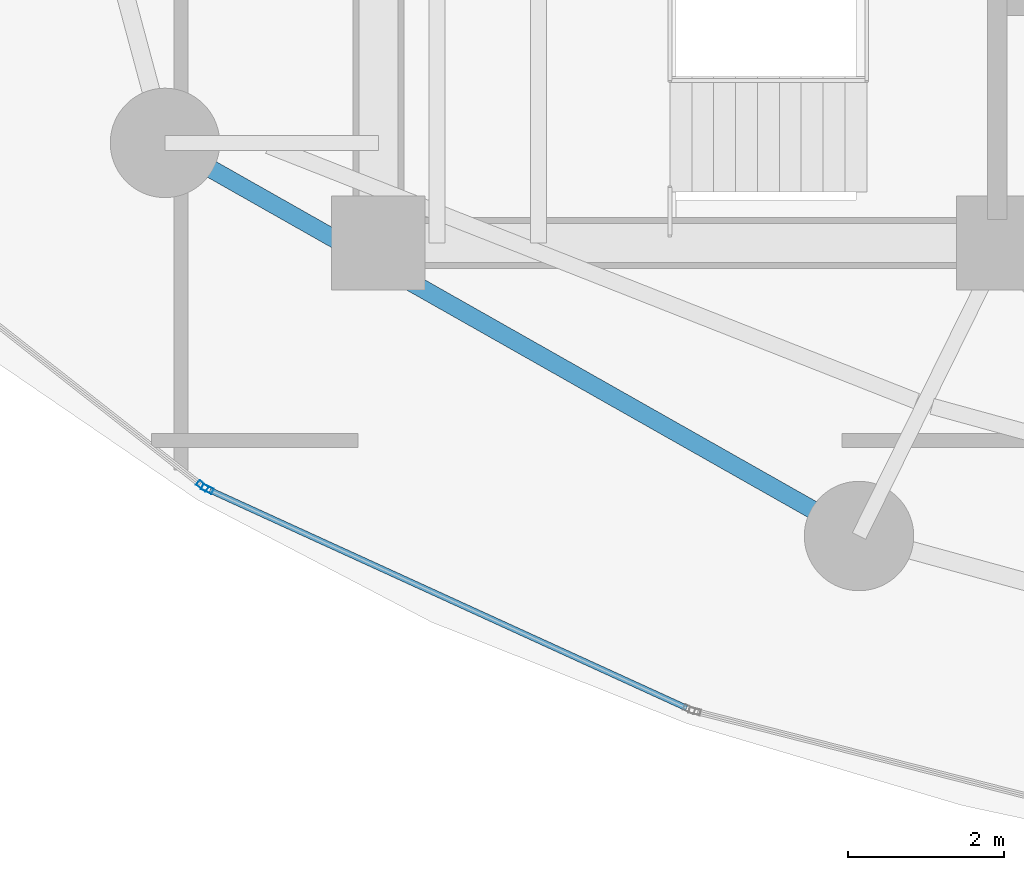
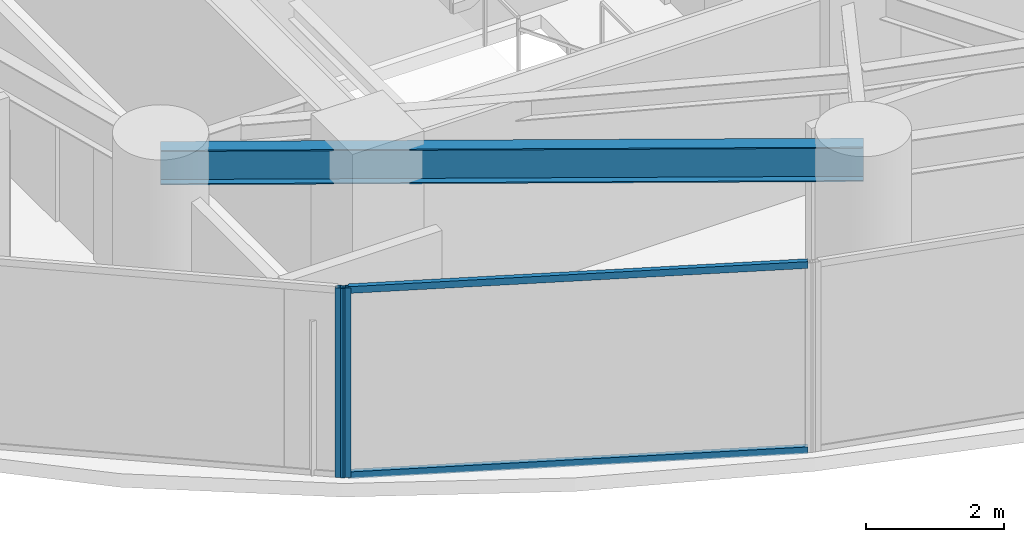
# One storey, part 2 of 31: 4 members, 1 beam, 2 elements without a shape of their own.
"""IFC4 building model written with IfcOpenShell, lengths in metres."""

from ifc_helpers import new_model, si_unit, direction, frame, origin, origin_2d, place, context, subcontext, project, spatial, hollow_rectangle, i_section, extrude, material, layer, layer_set, material_profile, profile_set, type_object, element, aggregate, save


model = new_model("IFC4")

# Units and contexts
model_context = context("Model", 3, precision=1e-05, world=origin(), true_north=direction((0.0, 1.0)))
body_context = subcontext(model_context, "Body", "Model", "MODEL_VIEW")
ifc_project = project(units=[si_unit("LENGTHUNIT", "METRE"), si_unit("AREAUNIT", "SQUARE_METRE"), si_unit("VOLUMEUNIT", "CUBIC_METRE"), si_unit("PLANEANGLEUNIT", "RADIAN"), si_unit("MASSUNIT", "GRAM", prefix="KILO")], contexts=[model_context])

# Site, building, storey
site_placement = place(None, origin())
site = spatial("IfcSite", under=ifc_project, at=site_placement, CompositionType="ELEMENT")
building_placement = place(site_placement, origin())
building = spatial("IfcBuilding", under=site, at=building_placement, Name="Kazevale Care Tower and Concert Hall", CompositionType="ELEMENT")
storey_placement = place(building_placement, frame((0.0, 0.0, 60.0)))
storey = spatial("IfcBuildingStorey", under=building, at=storey_placement, Name="L15", CompositionType="ELEMENT", Elevation=60.0)

# Curtain wall, member
ifc_material_1 = material(Name="Aluminium 6063-T6 and Low-E Glass", Category="aluminium")
ifc_layer = layer(ifc_material_1, 0.179931640625)
ifc_layer_set = layer_set([ifc_layer], Name="Aluminium 6063-T6 and Low-E Glass")
curtain_wall_type = type_object("IfcCurtainWallType", Name="Sheltered Concave Balcony Curtain Wall CW-5", PredefinedType="NOTDEFINED", material=ifc_layer_set)
curtain_wall_1_placement = place(storey_placement, origin())
curtain_wall_1 = element("IfcCurtainWall", 1, at=curtain_wall_1_placement, inside=storey, type_object=curtain_wall_type, Name="cw:L15:f09", PredefinedType="NOTDEFINED")
ifc_material_2 = material(Name="Aluminium 6063-T6", Category="aluminium")
ifc_material_profile_1 = material_profile(ifc_material_2, hollow_rectangle(XDim=0.074951171875, YDim=0.14990234375, WallThickness=0.00390625, at=origin_2d()), Name="ALU75x150x4")
ifc_profile_set_1 = profile_set([ifc_material_profile_1], Name="Aluminium 6063-T6")
member_type_1 = type_object("IfcMemberType", Name="CW-5 Mullion ALU75x150x4", PredefinedType="MULLION", material=ifc_profile_set_1)
member_1_placement = place(storey_placement, frame((19.81201171875, 20.451416015625, 0.0), z_axis=(0.0, 0.0, 1.0), x_axis=(-0.415659767773, -0.909520179795, 0.0)))
member_1 = element("IfcMember", 2, at=member_1_placement, type_object=member_type_1, Name="CW-5 mullion 2", PredefinedType="MULLION", context=body_context, shape_type="SweptSolid", body=[
    extrude(hollow_rectangle(XDim=0.074951171875, YDim=0.14990234375, WallThickness=0.00390625, at=origin_2d()), origin(), (0.0, 0.0, 1.0), 3.360107421875),
])

curtain_wall_2_placement = place(storey_placement, origin())
curtain_wall_2 = element("IfcCurtainWall", 3, at=curtain_wall_2_placement, inside=storey, type_object=curtain_wall_type, Name="cw:L15:f10", PredefinedType="NOTDEFINED")
member_2_placement = place(storey_placement, frame((19.74853515625, 20.490234375, 0.0), z_axis=(0.0, 0.0, 1.0), x_axis=(-0.617807548814, -0.78632934107, 0.0)))
member_2 = element("IfcMember", 4, at=member_2_placement, type_object=member_type_1, Name="CW-5 mullion 1", PredefinedType="MULLION", context=body_context, shape_type="SweptSolid", body=[
    extrude(hollow_rectangle(XDim=0.074951171875, YDim=0.14990234375, WallThickness=0.00390625, at=origin_2d()), origin(), (0.0, 0.0, 1.0), 3.360107421875),
])
aggregate(curtain_wall_2, [member_2])

# Member
ifc_material_profile_2 = material_profile(ifc_material_2, hollow_rectangle(XDim=0.074951171875, YDim=0.1201171875, WallThickness=0.00390625, at=origin_2d()), Name="ALU75x120x4")
ifc_profile_set_2 = profile_set([ifc_material_profile_2], Name="Aluminium 6063-T6")
member_type_2 = type_object("IfcMemberType", Name="CW-5 Transom ALU75x120x4", PredefinedType="USERDEFINED", material=ifc_profile_set_2)
member_3_placement = place(storey_placement, frame((25.94384765625, 17.649169921875, 0.03759765625), z_axis=(-0.909524040017, 0.415651320978, 0.0), x_axis=(-0.415651320978, -0.909524040017, 0.0)))
member_3 = element("IfcMember", 5, at=member_3_placement, type_object=member_type_2, Name="CW-5 transom 1.1", ObjectType="TRANSOM", PredefinedType="USERDEFINED", context=body_context, shape_type="SweptSolid", body=[
    extrude(hollow_rectangle(XDim=0.074951171875, YDim=0.1201171875, WallThickness=0.00390625, at=origin_2d()), origin(), (0.0, 0.0, 1.0), 6.704345703125),
])

member_4_placement = place(storey_placement, frame((25.94384765625, 17.649169921875, 3.322509765625), z_axis=(-0.909524040017, 0.415651320978, 0.0), x_axis=(-0.415651320978, -0.909524040017, 0.0)))
member_4 = element("IfcMember", 6, at=member_4_placement, type_object=member_type_2, Name="CW-5 transom 1.2", ObjectType="TRANSOM", PredefinedType="USERDEFINED", context=body_context, shape_type="SweptSolid", body=[
    extrude(hollow_rectangle(XDim=0.074951171875, YDim=0.1201171875, WallThickness=0.00390625, at=origin_2d()), origin(), (0.0, 0.0, 1.0), 6.704345703125),
])

aggregate(curtain_wall_1, [member_1, member_3, member_4])

# Beam
ifc_material_3 = material(Name="Steel ASTM A572 Gr 50", Category="steel")
ifc_material_profile_3 = material_profile(ifc_material_3, i_section(OverallWidth=0.22900390625, OverallDepth=0.612060546875, WebThickness=0.011962890625, FlangeThickness=0.01953125, at=origin_2d()), Name="W610x125")
ifc_profile_set_3 = profile_set([ifc_material_profile_3], Name="Steel ASTM A572 Gr 50")
beam_type = type_object("IfcBeamType", Name="Ring Spandrel Beam W610x125", PredefinedType="SPANDREL", material=ifc_profile_set_3)
beam_placement = place(storey_placement, frame((19.27001953125, 24.8798828125, 3.053955078125), z_axis=(0.870112469479, -0.492853213906, 0.0), x_axis=(0.492853213906, 0.870112469479, 0.0)))
element("IfcBeam", 7, at=beam_placement, inside=storey, type_object=beam_type, Name="beam:L15:ring:10", PredefinedType="SPANDREL", context=body_context, shape_type="SweptSolid", body=[
    extrude(i_section(OverallWidth=0.22900390625, OverallDepth=0.612060546875, WebThickness=0.011962890625, FlangeThickness=0.01953125, at=origin_2d()), origin(), (0.0, 0.0, 1.0), 10.205322265625),
])

save(model, "model.ifc")
